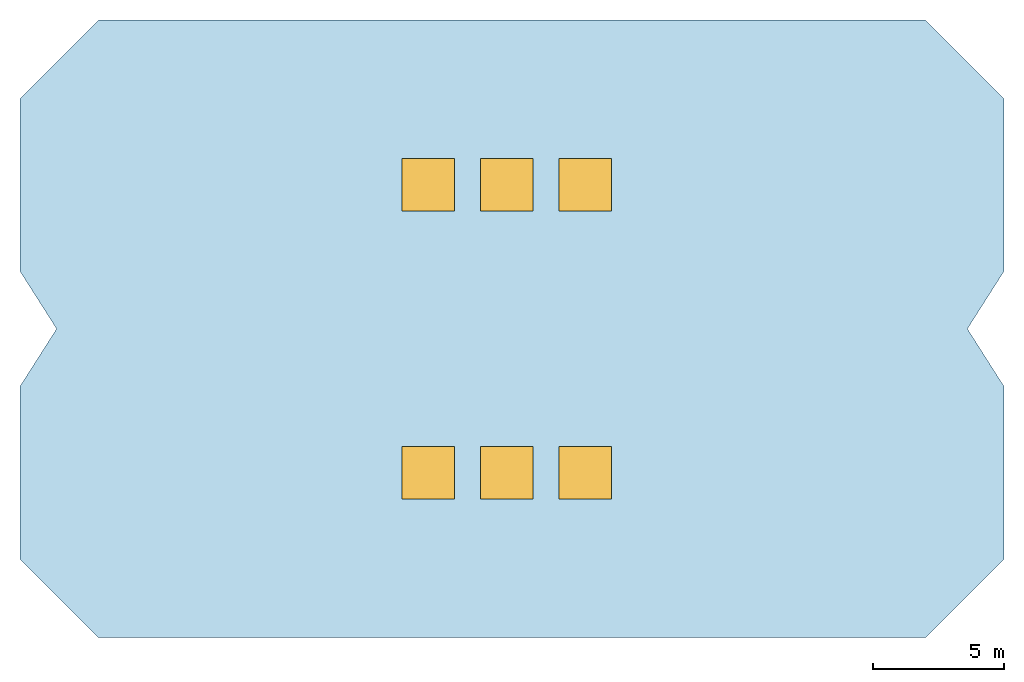
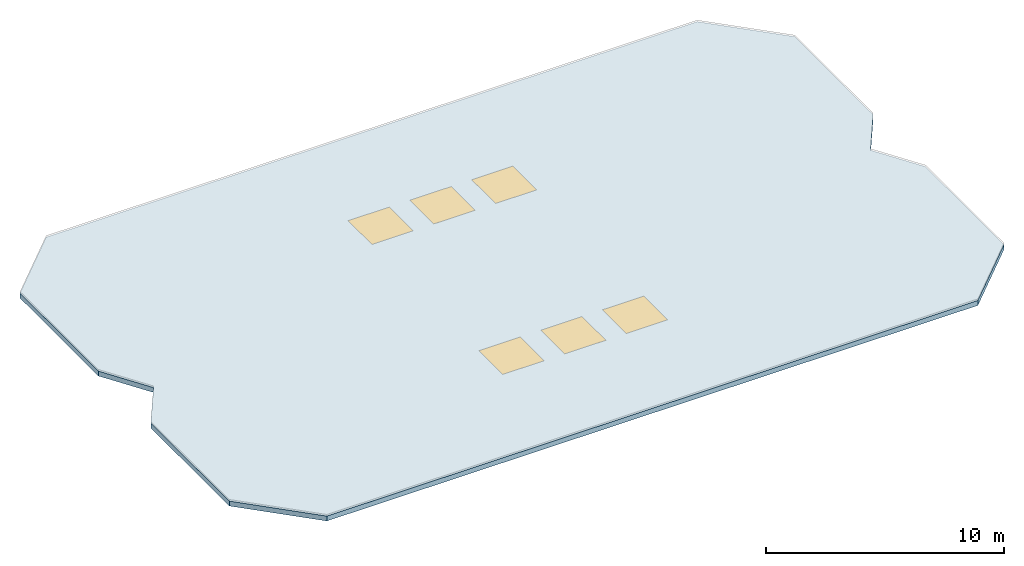
# One storey, part 1 of 2: 6 windows, 1 slab, 6 openings.
"""IFC4 building model written with IfcOpenShell, lengths in metres."""

from ifc_helpers import new_model, si_unit, direction, frame, origin, origin_2d, place, context, subcontext, project, spatial, polyline, rectangle, outline, extrude, material, layer, layer_set, type_object, element, fill, save


model = new_model("IFC4")

# Units and contexts
model_context = context("Model", 3, precision=1e-05, world=origin(), true_north=direction((0.0, 1.0)))
body_context = subcontext(model_context, "Body", "Model", "MODEL_VIEW")
ifc_project = project(units=[si_unit("LENGTHUNIT", "METRE"), si_unit("AREAUNIT", "SQUARE_METRE"), si_unit("VOLUMEUNIT", "CUBIC_METRE"), si_unit("PLANEANGLEUNIT", "RADIAN"), si_unit("MASSUNIT", "GRAM", prefix="KILO")], contexts=[model_context])

# Site, building, storey
site_placement = place(None, origin())
site = spatial("IfcSite", under=ifc_project, at=site_placement, CompositionType="ELEMENT")
building_placement = place(site_placement, origin())
building = spatial("IfcBuilding", under=site, at=building_placement, Name="Khamvora Tower", CompositionType="ELEMENT")
storey_placement = place(building_placement, frame((0.0, 0.0, 312.050048828125)))
storey = spatial("IfcBuildingStorey", under=building, at=storey_placement, Name="UPPER ROOF", CompositionType="ELEMENT", Elevation=312.050048828125)

# Slab, openings, windows
ifc_material_1 = material(Name="Concrete C35/45", Category="concrete")
ifc_layer = layer(ifc_material_1, 0.25)
ifc_layer_set = layer_set([ifc_layer], Name="Concrete C35/45")
slab_type = type_object("IfcSlabType", Name="SLB-ROOF-250", PredefinedType="ROOF", material=ifc_layer_set)
slab_placement = place(storey_placement, frame((0.0, 0.0, -0.25)))
slab = element("IfcSlab", 1, at=slab_placement, inside=storey, type_object=slab_type, Name="Upper crown enclosure roof deck slab", PredefinedType="ROOF", context=body_context, shape_type="SweptSolid", body=[
    extrude(outline(polyline([(29.199951171875, 16.199951171875), (60.800048828125, 16.199951171875), (63.800048828125, 19.199951171875), (63.800048828125, 25.800048828125), (62.39990234375, 28.0), (63.800048828125, 30.199951171875), (63.800048828125, 36.800048828125), (60.800048828125, 39.800048828125), (29.199951171875, 39.800048828125), (26.199951171875, 36.800048828125), (26.199951171875, 30.199951171875), (27.60009765625, 28.0), (26.199951171875, 25.800048828125), (26.199951171875, 19.199951171875), (29.199951171875, 16.199951171875)])), origin(), (0.0, 0.0, 1.0), 0.25),
])
opening_1_placement = place(slab_placement, frame((41.800048828125, 22.5, 0.0)))
opening_1 = element("IfcOpeningElement", 2, at=opening_1_placement, cuts=slab, Name="Opening SK-01", PredefinedType="OPENING", context=body_context, shape_type="SweptSolid", body=[
    extrude(rectangle(XDim=2.0, YDim=2.0, at=origin_2d()), frame((0.0, 0.0, -0.010009765625)), (0.0, 0.0, 1.0), 0.27001953125),
])
opening_2_placement = place(slab_placement, frame((41.800048828125, 33.5, 0.0)))
opening_2 = element("IfcOpeningElement", 3, at=opening_2_placement, cuts=slab, Name="Opening SK-01", PredefinedType="OPENING", context=body_context, shape_type="SweptSolid", body=[
    extrude(rectangle(XDim=2.0, YDim=2.0, at=origin_2d()), frame((0.0, 0.0, -0.010009765625)), (0.0, 0.0, 1.0), 0.27001953125),
])
opening_3_placement = place(slab_placement, frame((44.800048828125, 22.5, 0.0)))
opening_3 = element("IfcOpeningElement", 4, at=opening_3_placement, cuts=slab, Name="Opening SK-01", PredefinedType="OPENING", context=body_context, shape_type="SweptSolid", body=[
    extrude(rectangle(XDim=2.0, YDim=2.0, at=origin_2d()), frame((0.0, 0.0, -0.010009765625)), (0.0, 0.0, 1.0), 0.27001953125),
])
opening_4_placement = place(slab_placement, frame((44.800048828125, 33.5, 0.0)))
opening_4 = element("IfcOpeningElement", 5, at=opening_4_placement, cuts=slab, Name="Opening SK-01", PredefinedType="OPENING", context=body_context, shape_type="SweptSolid", body=[
    extrude(rectangle(XDim=2.0, YDim=2.0, at=origin_2d()), frame((0.0, 0.0, -0.010009765625)), (0.0, 0.0, 1.0), 0.27001953125),
])
opening_5_placement = place(slab_placement, frame((47.800048828125, 22.5, 0.0)))
opening_5 = element("IfcOpeningElement", 6, at=opening_5_placement, cuts=slab, Name="Opening SK-01", PredefinedType="OPENING", context=body_context, shape_type="SweptSolid", body=[
    extrude(rectangle(XDim=2.0, YDim=2.0, at=origin_2d()), frame((0.0, 0.0, -0.010009765625)), (0.0, 0.0, 1.0), 0.27001953125),
])
opening_6_placement = place(slab_placement, frame((47.800048828125, 33.5, 0.0)))
opening_6 = element("IfcOpeningElement", 7, at=opening_6_placement, cuts=slab, Name="Opening SK-01", PredefinedType="OPENING", context=body_context, shape_type="SweptSolid", body=[
    extrude(rectangle(XDim=2.0, YDim=2.0, at=origin_2d()), frame((0.0, 0.0, -0.010009765625)), (0.0, 0.0, 1.0), 0.27001953125),
])
ifc_material_2 = material(Name="Low-E Laminated Double Glazing", Category="glass")
window_type = type_object("IfcWindowType", Name="WIN-SKY-2000x2000", PartitioningType="SINGLE_PANEL", PredefinedType="SKYLIGHT", material=ifc_material_2)
window_1_placement = place(opening_1_placement, frame((0.0, 0.0, 0.199951171875)))
window_1 = element("IfcWindow", 8, at=window_1_placement, inside=storey, type_object=window_type, Name="Crown roof daylight skylight 01", OverallHeight=2.0, OverallWidth=2.0, PartitioningType="SINGLE_PANEL", PredefinedType="SKYLIGHT", context=body_context, shape_type="SweptSolid", body=[
    extrude(rectangle(XDim=2.0, YDim=2.0, at=origin_2d()), origin(), (0.0, 0.0, 1.0), 0.050048828125),
])
fill(opening_1, window_1)
window_2_placement = place(opening_2_placement, frame((0.0, 0.0, 0.199951171875)))
window_2 = element("IfcWindow", 9, at=window_2_placement, inside=storey, type_object=window_type, Name="Crown roof daylight skylight 02", OverallHeight=2.0, OverallWidth=2.0, PartitioningType="SINGLE_PANEL", PredefinedType="SKYLIGHT", context=body_context, shape_type="SweptSolid", body=[
    extrude(rectangle(XDim=2.0, YDim=2.0, at=origin_2d()), origin(), (0.0, 0.0, 1.0), 0.050048828125),
])
fill(opening_2, window_2)
window_3_placement = place(opening_3_placement, frame((0.0, 0.0, 0.199951171875)))
window_3 = element("IfcWindow", 10, at=window_3_placement, inside=storey, type_object=window_type, Name="Crown roof daylight skylight 03", OverallHeight=2.0, OverallWidth=2.0, PartitioningType="SINGLE_PANEL", PredefinedType="SKYLIGHT", context=body_context, shape_type="SweptSolid", body=[
    extrude(rectangle(XDim=2.0, YDim=2.0, at=origin_2d()), origin(), (0.0, 0.0, 1.0), 0.050048828125),
])
fill(opening_3, window_3)
window_4_placement = place(opening_4_placement, frame((0.0, 0.0, 0.199951171875)))
window_4 = element("IfcWindow", 11, at=window_4_placement, inside=storey, type_object=window_type, Name="Crown roof daylight skylight 04", OverallHeight=2.0, OverallWidth=2.0, PartitioningType="SINGLE_PANEL", PredefinedType="SKYLIGHT", context=body_context, shape_type="SweptSolid", body=[
    extrude(rectangle(XDim=2.0, YDim=2.0, at=origin_2d()), origin(), (0.0, 0.0, 1.0), 0.050048828125),
])
fill(opening_4, window_4)
window_5_placement = place(opening_5_placement, frame((0.0, 0.0, 0.199951171875)))
window_5 = element("IfcWindow", 12, at=window_5_placement, inside=storey, type_object=window_type, Name="Crown roof daylight skylight 05", OverallHeight=2.0, OverallWidth=2.0, PartitioningType="SINGLE_PANEL", PredefinedType="SKYLIGHT", context=body_context, shape_type="SweptSolid", body=[
    extrude(rectangle(XDim=2.0, YDim=2.0, at=origin_2d()), origin(), (0.0, 0.0, 1.0), 0.050048828125),
])
fill(opening_5, window_5)
window_6_placement = place(opening_6_placement, frame((0.0, 0.0, 0.199951171875)))
window_6 = element("IfcWindow", 13, at=window_6_placement, inside=storey, type_object=window_type, Name="Crown roof daylight skylight 06", OverallHeight=2.0, OverallWidth=2.0, PartitioningType="SINGLE_PANEL", PredefinedType="SKYLIGHT", context=body_context, shape_type="SweptSolid", body=[
    extrude(rectangle(XDim=2.0, YDim=2.0, at=origin_2d()), origin(), (0.0, 0.0, 1.0), 0.050048828125),
])
fill(opening_6, window_6)

save(model, "model.ifc")
